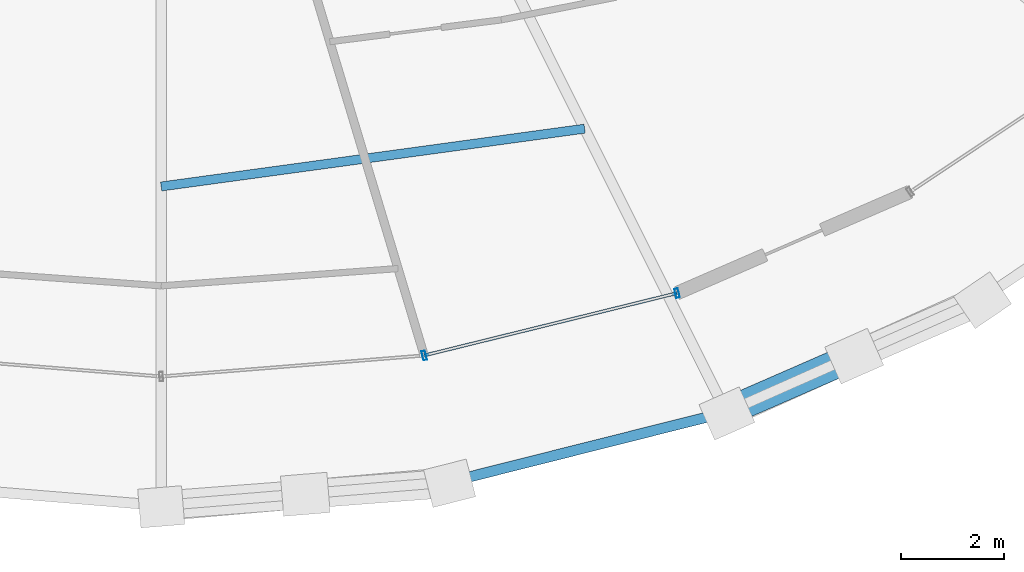
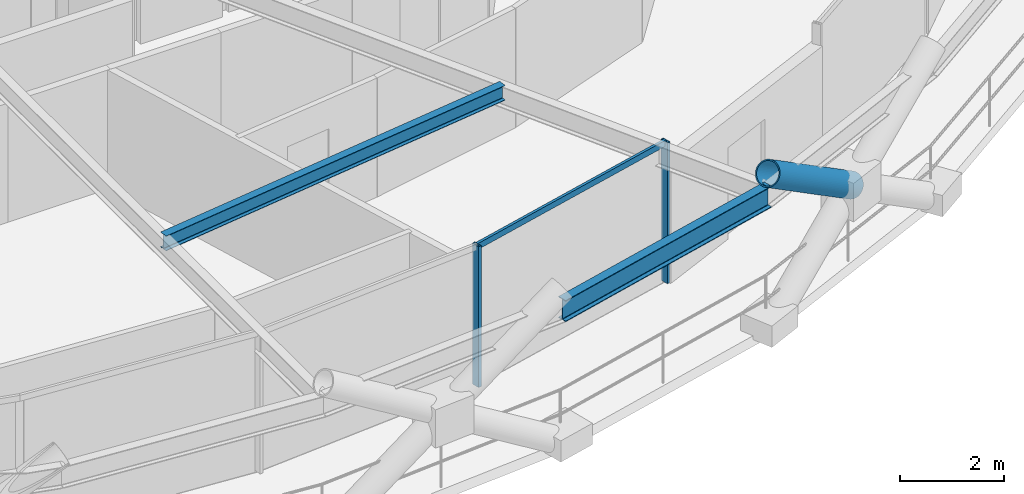
# One storey, part 4 of 21: 4 members, 2 beams, 1 element without a shape of its own.
"""IFC4 building model written with IfcOpenShell, lengths in metres."""

from ifc_helpers import new_model, si_unit, direction, frame, origin, origin_2d, place, context, subcontext, project, spatial, hollow_rectangle, hollow_circle, i_section, extrude, material, layer, layer_set, material_profile, profile_set, type_object, element, aggregate, save


model = new_model("IFC4")

# Units and contexts
model_context = context("Model", 3, precision=1e-05, world=origin(), true_north=direction((0.0, 1.0)))
body_context = subcontext(model_context, "Body", "Model", "MODEL_VIEW")
ifc_project = project(units=[si_unit("LENGTHUNIT", "METRE"), si_unit("AREAUNIT", "SQUARE_METRE"), si_unit("VOLUMEUNIT", "CUBIC_METRE"), si_unit("PLANEANGLEUNIT", "RADIAN"), si_unit("MASSUNIT", "GRAM", prefix="KILO")], contexts=[model_context])

# Site, building, storey
site_placement = place(None, origin())
site = spatial("IfcSite", under=ifc_project, at=site_placement, CompositionType="ELEMENT")
building_placement = place(site_placement, origin())
building = spatial("IfcBuilding", under=site, at=building_placement, Name="Veldorina Hangang Commons", CompositionType="ELEMENT")
storey_placement = place(building_placement, frame((0.0, 0.0, 128.0)))
storey = spatial("IfcBuildingStorey", under=building, at=storey_placement, Name="L32", CompositionType="ELEMENT", Elevation=128.0)

# Beams
ifc_material_1 = material(Name="Steel SM355-TMC", Category="steel")
ifc_material_profile_1 = material_profile(ifc_material_1, i_section(OverallWidth=0.175048828125, OverallDepth=0.35009765625, WebThickness=0.007080078125, FlangeThickness=0.010986328125, FilletRadius=0.012939453125, at=origin_2d()), Name="H-350x175x7x11")
ifc_profile_set_1 = profile_set([ifc_material_profile_1], Name="Steel SM355-TMC")
beam_type_1 = type_object("IfcBeamType", Name="BM-JST350", PredefinedType="JOIST", material=ifc_profile_set_1)
beam_1_placement = place(storey_placement, frame((32.0, 6.484619140625, 3.175048828125), z_axis=(0.990810200502, 0.135259552643, 0.0), x_axis=(-0.135259552643, 0.990810200502, 0.0)))
element("IfcBeam", 1, at=beam_1_placement, inside=storey, type_object=beam_type_1, Name="L32 secondary floor joist 13", PredefinedType="JOIST", context=body_context, shape_type="SweptSolid", body=[
    extrude(i_section(OverallWidth=0.175048828125, OverallDepth=0.35009765625, WebThickness=0.007080078125, FlangeThickness=0.010986328125, FilletRadius=0.012939453125, at=origin_2d()), origin(), (0.0, 0.0, 1.0), 8.26318359375),
])
ifc_material_2 = material(Name="Steel SM420-TMC", Category="steel")
ifc_material_profile_2 = material_profile(ifc_material_2, i_section(OverallWidth=0.199951171875, OverallDepth=0.5, WebThickness=0.010009765625, FlangeThickness=0.01611328125, FilletRadius=0.01611328125, at=origin_2d()), Name="H-500x200x10x16")
ifc_profile_set_2 = profile_set([ifc_material_profile_2], Name="Steel SM420-TMC")
beam_type_2 = type_object("IfcBeamType", Name="BM-RB500", PredefinedType="BEAM", material=ifc_profile_set_2)
beam_2_placement = place(storey_placement, frame((37.569580078125, 0.7705078125, 3.10009765625), z_axis=(0.969769500775, 0.244022776327, 0.0), x_axis=(-0.244022776327, 0.969769500775, 0.0)))
element("IfcBeam", 2, at=beam_2_placement, inside=storey, type_object=beam_type_2, Name="L32 perimeter hoop ring beam 25", PredefinedType="BEAM", context=body_context, shape_type="SweptSolid", body=[
    extrude(i_section(OverallWidth=0.199951171875, OverallDepth=0.5, WebThickness=0.010009765625, FlangeThickness=0.01611328125, FilletRadius=0.01611328125, at=origin_2d()), origin(), (0.0, 0.0, 1.0), 5.522705078125),
])

# Curtain wall, members
ifc_material_3 = material(Name="Glass Low-E Triple IGU", Category="glass")
ifc_layer = layer(ifc_material_3, 0.179931640625)
ifc_layer_set = layer_set([ifc_layer], Name="Glass Low-E Triple IGU")
curtain_wall_type = type_object("IfcCurtainWallType", Name="CW-SYS-Z2", PredefinedType="NOTDEFINED", material=ifc_layer_set)
curtain_wall_placement = place(storey_placement, origin())
curtain_wall = element("IfcCurtainWall", 3, at=curtain_wall_placement, inside=storey, type_object=curtain_wall_type, Name="L32 unitised curtain wall CW-L32-R1", PredefinedType="NOTDEFINED")
ifc_material_4 = material(Name="Aluminium Anodized AA6063-T6", Category="aluminium")
ifc_material_profile_3 = material_profile(ifc_material_4, hollow_rectangle(XDim=0.070068359375, YDim=0.179931640625, WallThickness=0.00390625, at=origin_2d()), Name="ALU-RHS-180x70x4")
ifc_profile_set_3 = profile_set([ifc_material_profile_3], Name="Aluminium Anodized AA6063-T6")
member_type_1 = type_object("IfcMemberType", Name="CW-MUL-180", PredefinedType="MULLION", material=ifc_profile_set_3)
member_1_placement = place(storey_placement, frame((37.085205078125, 3.21728515625, 0.0), z_axis=(0.0, 0.0, 1.0), x_axis=(0.970913215163, 0.239431678403, 0.0)))
member_1 = element("IfcMember", 4, at=member_1_placement, type_object=member_type_1, Name="CW-L32-R1 vertical mullion 3", PredefinedType="MULLION", context=body_context, shape_type="SweptSolid", body=[
    extrude(hollow_rectangle(XDim=0.070068359375, YDim=0.179931640625, WallThickness=0.00390625, at=origin_2d()), origin(), (0.0, 0.0, 1.0), 3.31005859375),
])
member_2_placement = place(storey_placement, frame((41.974853515625, 4.423095703125, 0.0), z_axis=(0.0, 0.0, 1.0), x_axis=(-0.970913215163, -0.239431678403, 0.0)))
member_2 = element("IfcMember", 5, at=member_2_placement, type_object=member_type_1, Name="CW-L32-R1 vertical mullion 4", PredefinedType="MULLION", context=body_context, shape_type="SweptSolid", body=[
    extrude(hollow_rectangle(XDim=0.070068359375, YDim=0.179931640625, WallThickness=0.00390625, at=origin_2d()), origin(), (0.0, 0.0, 1.0), 3.31005859375),
])
ifc_material_profile_4 = material_profile(ifc_material_4, hollow_rectangle(XDim=0.06005859375, YDim=0.139892578125, WallThickness=0.00341796875, at=origin_2d()), Name="ALU-RHS-140x60x3.5")
ifc_profile_set_4 = profile_set([ifc_material_profile_4], Name="Aluminium Anodized AA6063-T6")
member_type_2 = type_object("IfcMemberType", Name="CW-TRN-140", PredefinedType="USERDEFINED", material=ifc_profile_set_4)
member_3_placement = place(storey_placement, frame((37.085205078125, 3.21728515625, 3.27001953125), z_axis=(0.970913183653, 0.239431806175, 0.0), x_axis=(-0.239431806175, 0.970913183653, 0.0)))
member_3 = element("IfcMember", 6, at=member_3_placement, type_object=member_type_2, Name="CW-L32-R1 facet 4 transom 1", ObjectType="TRANSOM", PredefinedType="USERDEFINED", context=body_context, shape_type="SweptSolid", body=[
    extrude(hollow_rectangle(XDim=0.06005859375, YDim=0.139892578125, WallThickness=0.00341796875, at=origin_2d()), origin(), (0.0, 0.0, 1.0), 5.0361328125),
])
aggregate(curtain_wall, [member_1, member_2, member_3])

# Member
ifc_material_profile_5 = material_profile(ifc_material_2, hollow_circle(Radius=0.27490234375, WallThickness=0.028076171875, at=origin_2d()), Name="CHS-550x28")
ifc_profile_set_5 = profile_set([ifc_material_profile_5], Name="Steel SM420-TMC")
member_type_3 = type_object("IfcMemberType", Name="DG-CHS550", PredefinedType="BRACE", material=ifc_profile_set_5)
member_4_placement = place(storey_placement, frame((45.400390625, 3.203369140625, 1.80126953125), z_axis=(-0.762986089834, -0.333030983726, 0.554023998216), x_axis=(0.400036883082, -0.916499041011, 0.0)))
element("IfcMember", 7, at=member_4_placement, inside=storey, type_object=member_type_3, Name="L32 split perimeter diagrid upper brace 27", PredefinedType="BRACE", context=body_context, shape_type="SweptSolid", body=[
    extrude(hollow_circle(Radius=0.27490234375, WallThickness=0.028076171875, at=origin_2d()), origin(), (0.0, 0.0, 1.0), 3.246826171875),
])

save(model, "model.ifc")
